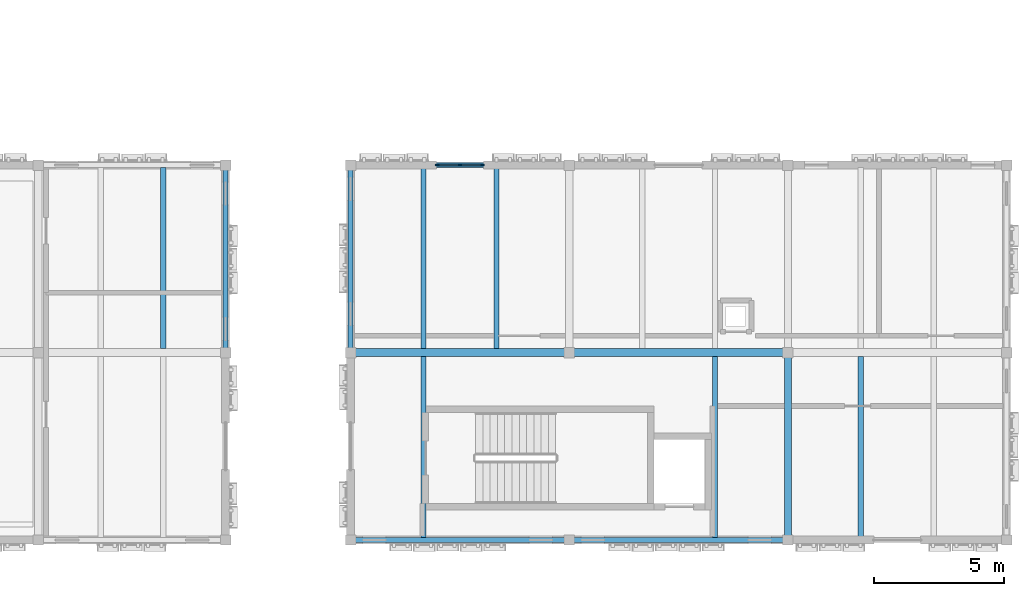
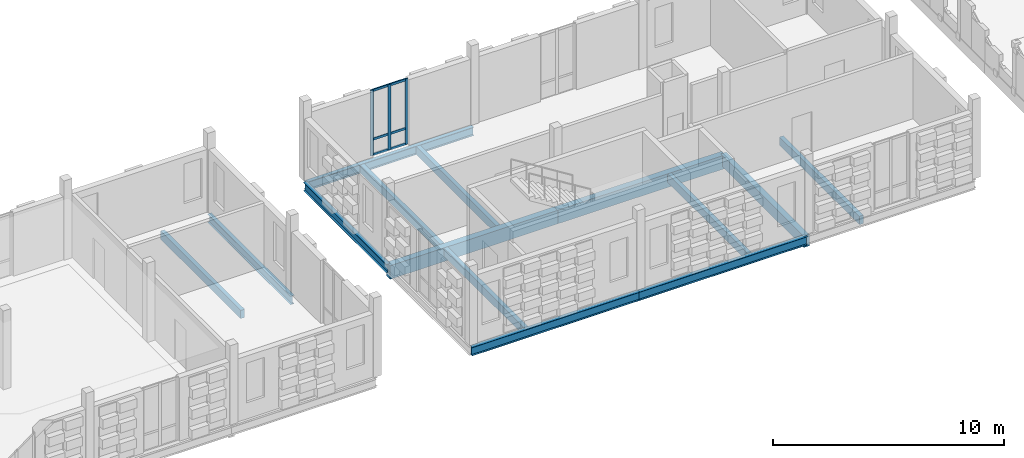
# One storey, part 15 of 81: 14 beams, 6 members, 1 element without a shape of its own.
"""IFC4 building model written with IfcOpenShell, lengths in metres."""

from ifc_helpers import new_model, si_unit, direction, frame, origin, origin_2d, place, context, subcontext, project, spatial, rectangle, i_section, extrude, material, material_profile, profile_set, type_object, element, aggregate, save


model = new_model("IFC4")

# Units and contexts
model_context = context("Model", 3, precision=1e-05, world=origin(), true_north=direction((0.0, 1.0)))
body_context = subcontext(model_context, "Body", "Model", "MODEL_VIEW")
ifc_project = project(units=[si_unit("LENGTHUNIT", "METRE"), si_unit("AREAUNIT", "SQUARE_METRE"), si_unit("VOLUMEUNIT", "CUBIC_METRE"), si_unit("PLANEANGLEUNIT", "RADIAN"), si_unit("MASSUNIT", "GRAM", prefix="KILO")], contexts=[model_context])

# Site, building, storey
site_placement = place(None, origin())
site = spatial("IfcSite", under=ifc_project, at=site_placement, CompositionType="ELEMENT")
building_placement = place(site_placement, origin())
building = spatial("IfcBuilding", under=site, at=building_placement, Name="Kahlenmark Community Centre", CompositionType="ELEMENT")
storey_placement = place(building_placement, frame((0.0, 0.0, 9.60009765625)))
storey = spatial("IfcBuildingStorey", under=building, at=storey_placement, Name="L02", CompositionType="ELEMENT", Elevation=9.60009765625)

# Beams
ifc_material_1 = material(Name="Glulam GL32h", Category="wood")
ifc_material_profile_1 = material_profile(ifc_material_1, rectangle(XDim=0.280029296875, YDim=0.60009765625, at=origin_2d()), Name="GL32h 280x600")
ifc_profile_set_1 = profile_set([ifc_material_profile_1], Name="Glulam GL32h")
beam_type_1 = type_object("IfcBeamType", Name="BT-BEAM-GL32h280x600", PredefinedType="BEAM", material=ifc_profile_set_1)
beam_1_placement = place(storey_placement, frame((108.39990234375, 8.800048828125, -0.52001953125), z_axis=(0.0, 1.0, 0.0), x_axis=(-1.0, 0.0, 0.0)))
element("IfcBeam", 1, at=beam_1_placement, inside=storey, type_object=beam_type_1, Name="L02 beam BG-GL32h280x600", PredefinedType="BEAM", context=body_context, shape_type="SweptSolid", body=[
    extrude(rectangle(XDim=0.280029296875, YDim=0.60009765625, at=origin_2d()), origin(), (0.0, 0.0, 1.0), 7.199951171875),
])
ifc_material_profile_2 = material_profile(ifc_material_1, rectangle(XDim=0.320068359375, YDim=0.719970703125, at=origin_2d()), Name="GL32h 320x720")
ifc_profile_set_2 = profile_set([ifc_material_profile_2], Name="Glulam GL32h")
beam_type_2 = type_object("IfcBeamType", Name="BT-BEAM-GL32h320x720", PredefinedType="BEAM", material=ifc_profile_set_2)
for number, where, z_axis, x_axis, name in (
    (2, (91.60009765625, 16.0, -0.580078125), (1.0, 0.0, 0.0), (0.0, 1.0, 0.0), "L02 beam BG-GL32h320x720"),
    (3, (100.0, 16.0, -0.580078125), (1.0, 0.0, 0.0), (0.0, 1.0, 0.0), "L02 beam BG-GL32h320x720"),
):
    element("IfcBeam", number, at=place(storey_placement, frame(where, z_axis=z_axis, x_axis=x_axis)), inside=storey, type_object=beam_type_2, Name=name, PredefinedType="BEAM", context=body_context, shape_type="SweptSolid", body=[
        extrude(rectangle(XDim=0.320068359375, YDim=0.719970703125, at=origin_2d()), origin(), (0.0, 0.0, 1.0), 8.39990234375),
    ])
ifc_material_2 = material(Name="Glulam GL28h", Category="wood")
ifc_material_profile_3 = material_profile(ifc_material_2, rectangle(XDim=0.199951171875, YDim=0.43994140625, at=origin_2d()), Name="GL28h 200x440")
ifc_profile_set_3 = profile_set([ifc_material_profile_3], Name="Glulam GL28h")
beam_type_3 = type_object("IfcBeamType", Name="BT-JOIST-GL28h200x440", PredefinedType="JOIST", material=ifc_profile_set_3)
for number, where, z_axis, x_axis, name in (
    (4, (84.39990234375, 16.157958984375, -0.440185546875), (0.0, 1.0, 0.0), (-1.0, 0.0, 0.0), "L02 joist BJ-GL28h200x440"),
    (5, (94.39990234375, 8.89306640625, -0.440185546875), (0.0, 1.0, 0.0), (-1.0, 0.0, 0.0), "L02 joist BJ-GL28h200x440"),
    (6, (94.39990234375, 16.157958984375, -0.440185546875), (0.0, 1.0, 0.0), (-1.0, 0.0, 0.0), "L02 joist BJ-GL28h200x440"),
    (7, (97.199951171875, 16.157958984375, -0.440185546875), (0.0, 1.0, 0.0), (-1.0, 0.0, 0.0), "L02 joist BJ-GL28h200x440"),
    (8, (105.60009765625, 8.89306640625, -0.440185546875), (0.0, 1.0, 0.0), (-1.0, 0.0, 0.0), "L02 joist BJ-GL28h200x440"),
    (9, (111.199951171875, 8.89306640625, -0.440185546875), (0.0, 1.0, 0.0), (-1.0, 0.0, 0.0), "L02 joist BJ-GL28h200x440"),
):
    element("IfcBeam", number, at=place(storey_placement, frame(where, z_axis=z_axis, x_axis=x_axis)), inside=storey, type_object=beam_type_3, Name=name, PredefinedType="JOIST", context=body_context, shape_type="SweptSolid", body=[
        extrude(rectangle(XDim=0.199951171875, YDim=0.43994140625, at=origin_2d()), origin(), (0.0, 0.0, 1.0), 6.948974609375),
    ])
ifc_material_3 = material(Name="Steel S355", Category="steel")
ifc_material_profile_4 = material_profile(ifc_material_3, i_section(OverallWidth=0.18994140625, OverallDepth=0.449951171875, WebThickness=0.009521484375, FlangeThickness=0.0146484375, at=origin_2d()), Name="IPE 450")
ifc_profile_set_4 = profile_set([ifc_material_profile_4], Name="Steel S355")
beam_type_4 = type_object("IfcBeamType", Name="BT-SPANDREL-IPE450", PredefinedType="SPANDREL", material=ifc_profile_set_4)
beam_2_placement = place(storey_placement, frame((86.800048828125, 16.0, -0.445068359375), z_axis=(0.0, 1.0, 0.0), x_axis=(-1.0, 0.0, 0.0)))
element("IfcBeam", 10, at=beam_2_placement, inside=storey, type_object=beam_type_4, Name="L02 spandrel SP-IPE450", PredefinedType="SPANDREL", context=body_context, shape_type="SweptSolid", body=[
    extrude(i_section(OverallWidth=0.18994140625, OverallDepth=0.449951171875, WebThickness=0.009521484375, FlangeThickness=0.0146484375, at=origin_2d()), origin(), (0.0, 0.0, 1.0), 7.199951171875),
])
for number, where, z_axis, x_axis, name in (
    (11, (91.60009765625, 8.800048828125, -0.445068359375), (1.0, 0.0, 0.0), (0.0, 1.0, 0.0), "L02 spandrel SP-IPE450"),
    (12, (100.0, 8.800048828125, -0.445068359375), (1.0, 0.0, 0.0), (0.0, 1.0, 0.0), "L02 spandrel SP-IPE450"),
    (13, (91.60009765625, 23.199951171875, -0.445068359375), (1.0, 0.0, 0.0), (0.0, 1.0, 0.0), "L02 spandrel SP-IPE450"),
):
    element("IfcBeam", number, at=place(storey_placement, frame(where, z_axis=z_axis, x_axis=x_axis)), inside=storey, type_object=beam_type_4, Name=name, PredefinedType="SPANDREL", context=body_context, shape_type="SweptSolid", body=[
        extrude(i_section(OverallWidth=0.18994140625, OverallDepth=0.449951171875, WebThickness=0.009521484375, FlangeThickness=0.0146484375, at=origin_2d()), origin(), (0.0, 0.0, 1.0), 8.39990234375),
    ])
beam_3_placement = place(storey_placement, frame((91.60009765625, 16.0, -0.445068359375), z_axis=(0.0, 1.0, 0.0), x_axis=(-1.0, 0.0, 0.0)))
element("IfcBeam", 14, at=beam_3_placement, inside=storey, type_object=beam_type_4, Name="L02 spandrel SP-IPE450", PredefinedType="SPANDREL", context=body_context, shape_type="SweptSolid", body=[
    extrude(i_section(OverallWidth=0.18994140625, OverallDepth=0.449951171875, WebThickness=0.009521484375, FlangeThickness=0.0146484375, at=origin_2d()), origin(), (0.0, 0.0, 1.0), 7.199951171875),
])

# Curtain wall, members
ifc_material_4 = material(Name="Anodised aluminium unitised curtain wall", Category="aluminium")
curtain_wall_type = type_object("IfcCurtainWallType", Name="CWT-UNIT-180X347", PredefinedType="USERDEFINED", material=ifc_material_4)
curtain_wall_placement = place(storey_placement, origin())
curtain_wall = element("IfcCurtainWall", 15, at=curtain_wall_placement, inside=storey, type_object=curtain_wall_type, Name="Unitised curtain wall CW-102", ObjectType="UNITISED CURTAIN WALL", PredefinedType="USERDEFINED")
ifc_material_5 = material(Name="Anodised aluminium 6063-T6", Category="aluminium")
ifc_material_profile_5 = material_profile(ifc_material_5, rectangle(XDim=0.06005859375, YDim=0.139892578125, at=origin_2d()), Name="ALU MULLION 60x140")
ifc_profile_set_5 = profile_set([ifc_material_profile_5], Name="Anodised aluminium 6063-T6")
member_type_1 = type_object("IfcMemberType", Name="MT-MUL-140", PredefinedType="MULLION", material=ifc_profile_set_5)
member_1_placement = place(storey_placement, frame((96.669921875, 23.199951171875, 0.0), z_axis=(0.0, 0.0, 1.0), x_axis=(0.0, -1.0, 0.0)))
member_1 = element("IfcMember", 16, at=member_1_placement, type_object=member_type_1, Name="CW-102 mullion 1", PredefinedType="MULLION", context=body_context, shape_type="SweptSolid", body=[
    extrude(rectangle(XDim=0.06005859375, YDim=0.139892578125, at=origin_2d()), origin(), (0.0, 0.0, 1.0), 3.469970703125),
])
member_2_placement = place(storey_placement, frame((95.800048828125, 23.199951171875, 0.0), z_axis=(0.0, 0.0, 1.0), x_axis=(0.0, -1.0, 0.0)))
member_2 = element("IfcMember", 17, at=member_2_placement, type_object=member_type_1, Name="CW-102 mullion 2", PredefinedType="MULLION", context=body_context, shape_type="SweptSolid", body=[
    extrude(rectangle(XDim=0.06005859375, YDim=0.139892578125, at=origin_2d()), origin(), (0.0, 0.0, 1.0), 3.469970703125),
])
member_3_placement = place(storey_placement, frame((94.929931640625, 23.199951171875, 0.0), z_axis=(0.0, 0.0, 1.0), x_axis=(0.0, -1.0, 0.0)))
member_3 = element("IfcMember", 18, at=member_3_placement, type_object=member_type_1, Name="CW-102 mullion 3", PredefinedType="MULLION", context=body_context, shape_type="SweptSolid", body=[
    extrude(rectangle(XDim=0.06005859375, YDim=0.139892578125, at=origin_2d()), origin(), (0.0, 0.0, 1.0), 3.469970703125),
])
ifc_material_profile_6 = material_profile(ifc_material_5, rectangle(XDim=0.06005859375, YDim=0.1201171875, at=origin_2d()), Name="ALU TRANSOM 60x120")
ifc_profile_set_6 = profile_set([ifc_material_profile_6], Name="Anodised aluminium 6063-T6")
member_type_2 = type_object("IfcMemberType", Name="MT-TRN-120", PredefinedType="USERDEFINED", material=ifc_profile_set_6)
member_4_placement = place(storey_placement, frame((96.669921875, 23.199951171875, 0.039794921875), z_axis=(-1.0, 0.0, 0.0), x_axis=(0.0, -1.0, 0.0)))
member_4 = element("IfcMember", 19, at=member_4_placement, type_object=member_type_2, Name="CW-102 transom 1", ObjectType="TRANSOM", PredefinedType="USERDEFINED", context=body_context, shape_type="SweptSolid", body=[
    extrude(rectangle(XDim=0.06005859375, YDim=0.1201171875, at=origin_2d()), origin(), (0.0, 0.0, 1.0), 1.739990234375),
])
member_5_placement = place(storey_placement, frame((96.669921875, 23.199951171875, 0.849853515625), z_axis=(-1.0, 0.0, 0.0), x_axis=(0.0, -1.0, 0.0)))
member_5 = element("IfcMember", 20, at=member_5_placement, type_object=member_type_2, Name="CW-102 transom 2", ObjectType="TRANSOM", PredefinedType="USERDEFINED", context=body_context, shape_type="SweptSolid", body=[
    extrude(rectangle(XDim=0.06005859375, YDim=0.1201171875, at=origin_2d()), origin(), (0.0, 0.0, 1.0), 1.739990234375),
])
member_6_placement = place(storey_placement, frame((96.669921875, 23.199951171875, 3.429931640625), z_axis=(-1.0, 0.0, 0.0), x_axis=(0.0, -1.0, 0.0)))
member_6 = element("IfcMember", 21, at=member_6_placement, type_object=member_type_2, Name="CW-102 transom 3", ObjectType="TRANSOM", PredefinedType="USERDEFINED", context=body_context, shape_type="SweptSolid", body=[
    extrude(rectangle(XDim=0.06005859375, YDim=0.1201171875, at=origin_2d()), origin(), (0.0, 0.0, 1.0), 1.739990234375),
])
aggregate(curtain_wall, [member_1, member_2, member_3, member_4, member_5, member_6])

save(model, "model.ifc")
